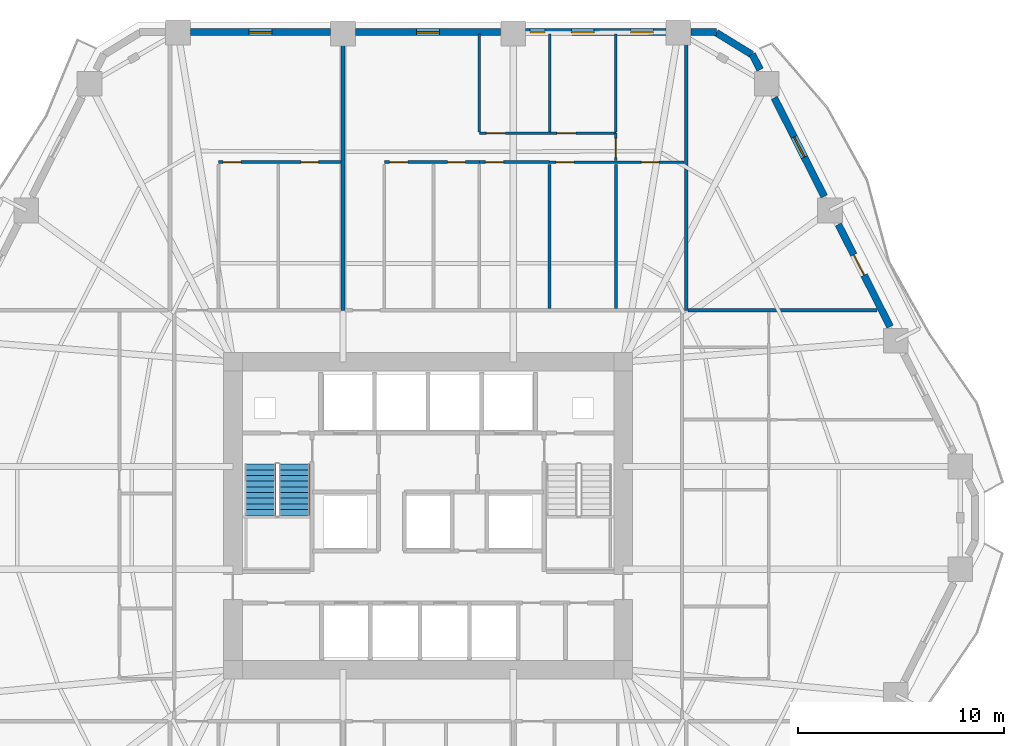
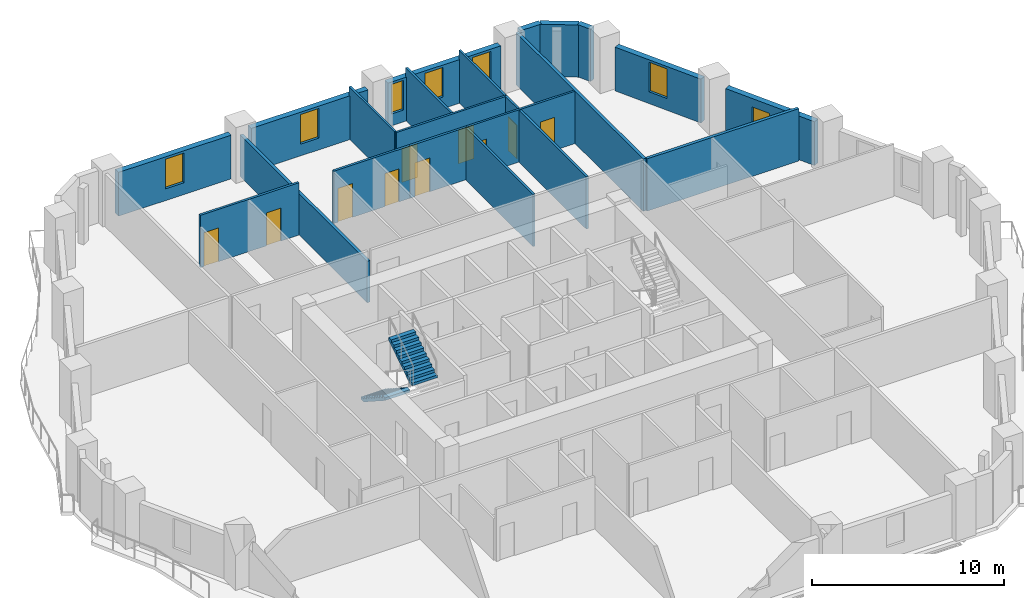
# One storey, part 7 of 11: 22 walls, 11 doors, 6 windows, 2 stair flights, 17 openings, 1 element without a shape of its own.
"""IFC4 building model written with IfcOpenShell, lengths in metres."""

from ifc_helpers import new_model, si_unit, direction, frame, frame_2d, origin, place, context, subcontext, project, spatial, polyline, rectangle, outline, extrude, material, layer, layer_set, type_object, element, fill, aggregate, save


model = new_model("IFC4")

# Units and contexts
model_context = context("Model", 3, precision=1e-05, world=origin(), true_north=direction((0.0, 1.0)))
body_context = subcontext(model_context, "Body", "Model", "MODEL_VIEW")
ifc_project = project(units=[si_unit("LENGTHUNIT", "METRE"), si_unit("AREAUNIT", "SQUARE_METRE"), si_unit("VOLUMEUNIT", "CUBIC_METRE"), si_unit("PLANEANGLEUNIT", "RADIAN"), si_unit("MASSUNIT", "GRAM", prefix="KILO")], contexts=[model_context])

# Site, building, storey
site_placement = place(None, origin())
site = spatial("IfcSite", under=ifc_project, at=site_placement, CompositionType="ELEMENT")
building_placement = place(site_placement, origin())
building = spatial("IfcBuilding", under=site, at=building_placement, Name="Cinnabar Lancet Tower", CompositionType="ELEMENT")
storey_placement = place(building_placement, frame((0.0, 0.0, 60.39990234375)))
storey = spatial("IfcBuildingStorey", under=building, at=storey_placement, Name="L15", CompositionType="ELEMENT", Elevation=60.39990234375)

# Walls
ifc_material_1 = material(Name="Fire-rated twin-frame acoustic drywall", Category="gypsum")
ifc_layer_1 = layer(ifc_material_1, 0.179931640625)
ifc_layer_set_1 = layer_set([ifc_layer_1], Name="Fire-rated twin-frame acoustic drywall")
wall_type_1 = type_object("IfcWallType", Name="ARC-WL-PARTY-180", PredefinedType="PARTITIONING", material=ifc_layer_set_1)
wall_1_placement = place(storey_placement, frame((28.278076171875, 35.85009765625, 0.0), z_axis=(0.0, 0.0, 1.0), x_axis=(0.0, 1.0, 0.0)))
element("IfcWall", 1, at=wall_1_placement, inside=storey, type_object=wall_type_1, Name="PW-L15-NPTY-283", PredefinedType="PARTITIONING", context=body_context, shape_type="SweptSolid", body=[
    extrude(rectangle(XDim=13.294921875, YDim=0.179931640625, at=frame_2d((6.6474609375, 0.0))), origin(), (0.0, 0.0, 1.0), 2.635986328125),
])
wall_2_placement = place(storey_placement, frame((44.89990234375, 35.85009765625, 0.0), z_axis=(0.0, 0.0, 1.0), x_axis=(0.0, 1.0, 0.0)))
element("IfcWall", 2, at=wall_2_placement, inside=storey, type_object=wall_type_1, Name="PW-L15-NPTY-449", PredefinedType="PARTITIONING", context=body_context, shape_type="SweptSolid", body=[
    extrude(rectangle(XDim=13.294921875, YDim=0.179931640625, at=frame_2d((6.6474609375, 0.0))), origin(), (0.0, 0.0, 1.0), 3.330078125),
])
wall_3_placement = place(storey_placement, frame((44.9951171875, 35.85009765625, 0.0), z_axis=(0.0, 0.0, 1.0), x_axis=(1.0, 0.0, 0.0)))
element("IfcWall", 3, at=wall_3_placement, inside=storey, type_object=wall_type_1, Name="PW-L15-ENB", PredefinedType="PARTITIONING", context=body_context, shape_type="SweptSolid", body=[
    extrude(rectangle(XDim=9.139892578125, YDim=0.179931640625, at=frame_2d((4.56982421875, 0.0))), origin(), (0.0, 0.0, 1.0), 3.330078125),
])

# Wall, openings, doors
ifc_material_2 = material(Name="Gypsum plasterboard stud partition", Category="gypsum")
ifc_layer_2 = layer(ifc_material_2, 0.125)
ifc_layer_set_2 = layer_set([ifc_layer_2], Name="Gypsum plasterboard stud partition")
wall_type_2 = type_object("IfcWallType", Name="ARC-WL-UNIT-125", PredefinedType="PARTITIONING", material=ifc_layer_set_2)
wall_4_placement = place(storey_placement, frame((38.284912109375, 43.029052734375, 0.0), z_axis=(0.0, 0.0, 1.0), x_axis=(1.0, 0.0, 0.0)))
wall_4 = element("IfcWall", 4, at=wall_4_placement, inside=storey, type_object=wall_type_2, Name="UW-L15-N02-SP2", PredefinedType="PARTITIONING", context=body_context, shape_type="SweptSolid", body=[
    extrude(rectangle(XDim=6.52001953125, YDim=0.125, at=frame_2d((3.260009765625, 0.0))), origin(), (0.0, 0.0, 1.0), 3.330078125),
])
opening_1_placement = place(wall_4_placement, frame((4.43896484375, 0.0, 0.0)))
opening_1 = element("IfcOpeningElement", 5, at=opening_1_placement, cuts=wall_4, Name="Opening BD-01", PredefinedType="OPENING", context=body_context, shape_type="SweptSolid", body=[
    extrude(rectangle(XDim=0.860107421875, YDim=2.10009765625, at=frame_2d((0.43017578125, 1.050048828125))), frame((0.0, 0.072509765625, 0.0), z_axis=(0.0, -1.0, 0.0), x_axis=(1.0, 0.0, 0.0)), (0.0, 0.0, 1.0), 0.14501953125),
])
opening_2_placement = place(wall_4_placement, frame((0.300048828125, 0.0, 0.0)))
opening_2 = element("IfcOpeningElement", 6, at=opening_2_placement, cuts=wall_4, Name="Opening RD-02", PredefinedType="OPENING", context=body_context, shape_type="SweptSolid", body=[
    extrude(rectangle(XDim=0.8798828125, YDim=2.14990234375, at=frame_2d((0.43994140625, 1.074951171875))), frame((0.0, 0.072509765625, 0.0), z_axis=(0.0, -1.0, 0.0), x_axis=(1.0, 0.0, 0.0)), (0.0, 0.0, 1.0), 0.14501953125),
])
ifc_material_3 = material(Name="Moisture-resistant timber bathroom door", Category="wood")
door_type_1 = type_object("IfcDoorType", Name="ARC-DR-BATH", OperationType="NOTDEFINED", PredefinedType="DOOR", material=ifc_material_3)
door_1_placement = place(opening_1_placement, origin())
door_1 = element("IfcDoor", 7, at=door_1_placement, inside=storey, type_object=door_type_1, Name="DR-L15-N02-ENS", OperationType="SINGLE_SWING_LEFT", OverallHeight=2.10009765625, OverallWidth=0.860107421875, PredefinedType="DOOR", context=body_context, shape_type="SweptSolid", body=[
    extrude(rectangle(XDim=0.860107421875, YDim=2.10009765625, at=frame_2d((0.43017578125, 1.050048828125))), frame((0.0, 0.02490234375, 0.0), z_axis=(0.0, -1.0, 0.0), x_axis=(1.0, 0.0, 0.0)), (0.0, 0.0, 1.0), 0.050048828125),
])
fill(opening_1, door_1)
ifc_material_4 = material(Name="Engineered timber study door", Category="wood")
door_type_2 = type_object("IfcDoorType", Name="ARC-DR-STUDY", OperationType="NOTDEFINED", PredefinedType="DOOR", material=ifc_material_4)
door_2_placement = place(opening_2_placement, origin())
door_2 = element("IfcDoor", 8, at=door_2_placement, inside=storey, type_object=door_type_2, Name="DR-L15-N02-DRS", OperationType="SINGLE_SWING_RIGHT", OverallHeight=2.14990234375, OverallWidth=0.8798828125, PredefinedType="DOOR", context=body_context, shape_type="SweptSolid", body=[
    extrude(rectangle(XDim=0.8798828125, YDim=2.14990234375, at=frame_2d((0.43994140625, 1.074951171875))), frame((0.0, 0.02490234375, 0.0), z_axis=(0.0, -1.0, 0.0), x_axis=(1.0, 0.0, 0.0)), (0.0, 0.0, 1.0), 0.050048828125),
])
fill(opening_2, door_2)

# Wall
wall_5_placement = place(storey_placement, frame((34.8779296875, 44.493896484375, 0.0), z_axis=(0.0, 0.0, 1.0), x_axis=(0.0, 1.0, 0.0)))
element("IfcWall", 9, at=wall_5_placement, inside=storey, type_object=wall_type_2, Name="UW-L15-N02-BD2W", PredefinedType="PARTITIONING", context=body_context, shape_type="SweptSolid", body=[
    extrude(rectangle(XDim=4.7412109375, YDim=0.125, at=frame_2d((2.37060546875, 0.0))), origin(), (0.0, 0.0, 1.0), 3.330078125),
])

# Wall, openings, doors
wall_6_placement = place(storey_placement, frame((34.8779296875, 44.428955078125, 0.0), z_axis=(0.0, 0.0, 1.0), x_axis=(1.0, 0.0, 0.0)))
wall_6 = element("IfcWall", 10, at=wall_6_placement, inside=storey, type_object=wall_type_2, Name="UW-L15-N02-HLN", PredefinedType="PARTITIONING", context=body_context, shape_type="SweptSolid", body=[
    extrude(rectangle(XDim=6.614990234375, YDim=0.125, at=frame_2d((3.3076171875, 0.0))), origin(), (0.0, 0.0, 1.0), 3.330078125),
])
opening_3_placement = place(wall_6_placement, frame((0.35009765625, 0.0, 0.0)))
opening_3 = element("IfcOpeningElement", 11, at=opening_3_placement, cuts=wall_6, Name="Opening RD-01", PredefinedType="OPENING", context=body_context, shape_type="SweptSolid", body=[
    extrude(rectangle(XDim=0.919921875, YDim=2.14990234375, at=frame_2d((0.4599609375, 1.074951171875))), frame((0.0, 0.072509765625, 0.0), z_axis=(0.0, -1.0, 0.0), x_axis=(1.0, 0.0, 0.0)), (0.0, 0.0, 1.0), 0.14501953125),
])
opening_4_placement = place(wall_6_placement, frame((3.757080078125, 0.0, 0.0)))
opening_4 = element("IfcOpeningElement", 12, at=opening_4_placement, cuts=wall_6, Name="Opening RD-01", PredefinedType="OPENING", context=body_context, shape_type="SweptSolid", body=[
    extrude(rectangle(XDim=0.919921875, YDim=2.14990234375, at=frame_2d((0.4599609375, 1.074951171875))), frame((0.0, 0.072509765625, 0.0), z_axis=(0.0, -1.0, 0.0), x_axis=(1.0, 0.0, 0.0)), (0.0, 0.0, 1.0), 0.14501953125),
])
ifc_material_5 = material(Name="Engineered timber bedroom door", Category="wood")
door_type_3 = type_object("IfcDoorType", Name="ARC-DR-ROOM", OperationType="NOTDEFINED", PredefinedType="DOOR", material=ifc_material_5)
door_3_placement = place(opening_3_placement, origin())
door_3 = element("IfcDoor", 13, at=door_3_placement, inside=storey, type_object=door_type_3, Name="DR-L15-N02-BD2", OperationType="SINGLE_SWING_LEFT", OverallHeight=2.14990234375, OverallWidth=0.919921875, PredefinedType="DOOR", context=body_context, shape_type="SweptSolid", body=[
    extrude(rectangle(XDim=0.919921875, YDim=2.14990234375, at=frame_2d((0.4599609375, 1.074951171875))), frame((0.0, 0.02490234375, 0.0), z_axis=(0.0, -1.0, 0.0), x_axis=(1.0, 0.0, 0.0)), (0.0, 0.0, 1.0), 0.050048828125),
])
fill(opening_3, door_3)
door_4_placement = place(opening_4_placement, origin())
door_4 = element("IfcDoor", 14, at=door_4_placement, inside=storey, type_object=door_type_3, Name="DR-L15-N02-BD3", OperationType="SINGLE_SWING_RIGHT", OverallHeight=2.14990234375, OverallWidth=0.919921875, PredefinedType="DOOR", context=body_context, shape_type="SweptSolid", body=[
    extrude(rectangle(XDim=0.919921875, YDim=2.14990234375, at=frame_2d((0.4599609375, 1.074951171875))), frame((0.0, 0.02490234375, 0.0), z_axis=(0.0, -1.0, 0.0), x_axis=(1.0, 0.0, 0.0)), (0.0, 0.0, 1.0), 0.050048828125),
])
fill(opening_4, door_4)

# Wall, opening, door
wall_7_placement = place(storey_placement, frame((41.492919921875, 43.09912109375, 0.0), z_axis=(0.0, 0.0, 1.0), x_axis=(0.0, 1.0, 0.0)))
wall_7 = element("IfcWall", 15, at=wall_7_placement, inside=storey, type_object=wall_type_2, Name="UW-L15-N02-MBE", PredefinedType="PARTITIONING", context=body_context, shape_type="SweptSolid", body=[
    extrude(rectangle(XDim=1.329833984375, YDim=0.125, at=frame_2d((0.6650390625, 0.0))), origin(), (0.0, 0.0, 1.0), 3.330078125),
])
opening_5_placement = place(wall_7_placement, frame((0.159912109375, 0.0, 0.0)))
opening_5 = element("IfcOpeningElement", 16, at=opening_5_placement, cuts=wall_7, Name="Opening RD-01", PredefinedType="OPENING", context=body_context, shape_type="SweptSolid", body=[
    extrude(rectangle(XDim=0.919921875, YDim=2.14990234375, at=frame_2d((0.4599609375, 1.074951171875))), frame((0.0, 0.072509765625, 0.0), z_axis=(0.0, -1.0, 0.0), x_axis=(1.0, 0.0, 0.0)), (0.0, 0.0, 1.0), 0.14501953125),
])
door_5_placement = place(opening_5_placement, origin())
door_5 = element("IfcDoor", 17, at=door_5_placement, inside=storey, type_object=door_type_3, Name="DR-L15-N02-MBD", OperationType="SINGLE_SWING_LEFT", OverallHeight=2.14990234375, OverallWidth=0.919921875, PredefinedType="DOOR", context=body_context, shape_type="SweptSolid", body=[
    extrude(rectangle(XDim=0.919921875, YDim=2.14990234375, at=frame_2d((0.4599609375, 1.074951171875))), frame((0.0, 0.02490234375, 0.0), z_axis=(0.0, -1.0, 0.0), x_axis=(1.0, 0.0, 0.0)), (0.0, 0.0, 1.0), 0.050048828125),
])
fill(opening_5, door_5)

# Walls
for number, where, z_axis, x_axis, name in (
    (18, (38.284912109375, 44.493896484375, 0.0), (0.0, 0.0, 1.0), (0.0, 1.0, 0.0), "UW-L15-N02-MB2W"),
    (19, (41.492919921875, 44.493896484375, 0.0), (0.0, 0.0, 1.0), (0.0, 1.0, 0.0), "UW-L15-N02-B23W"),
):
    element("IfcWall", number, at=place(storey_placement, frame(where, z_axis=z_axis, x_axis=x_axis)), inside=storey, type_object=wall_type_2, Name=name, PredefinedType="PARTITIONING", context=body_context, shape_type="SweptSolid", body=[
        extrude(rectangle(XDim=4.7412109375, YDim=0.125, at=frame_2d((2.37060546875, 0.0))), origin(), (0.0, 0.0, 1.0), 3.330078125),
    ])

# Wall, openings, doors
ifc_material_6 = material(Name="Moisture-resistant cement-board plumbing wall", Category="masonry")
ifc_layer_3 = layer(ifc_material_6, 0.139892578125)
ifc_layer_set_3 = layer_set([ifc_layer_3], Name="Moisture-resistant cement-board plumbing wall")
wall_type_3 = type_object("IfcWallType", Name="ARC-WL-WET-140", PredefinedType="PLUMBINGWALL", material=ifc_layer_set_3)
wall_8_placement = place(storey_placement, frame((22.25, 43.029052734375, 0.0), z_axis=(0.0, 0.0, 1.0), x_axis=(1.0, 0.0, 0.0)))
wall_8 = element("IfcWall", 20, at=wall_8_placement, inside=storey, type_object=wall_type_3, Name="UW-L15-N01-SPL", PredefinedType="PLUMBINGWALL", context=body_context, shape_type="SweptSolid", body=[
    extrude(rectangle(XDim=5.93310546875, YDim=0.139892578125, at=frame_2d((2.966552734375, 0.0))), origin(), (0.0, 0.0, 1.0), 3.330078125),
])
opening_6_placement = place(wall_8_placement, frame((3.988037109375, 0.0, 0.0)))
opening_6 = element("IfcOpeningElement", 21, at=opening_6_placement, cuts=wall_8, Name="Opening BD-01", PredefinedType="OPENING", context=body_context, shape_type="SweptSolid", body=[
    extrude(rectangle(XDim=0.860107421875, YDim=2.10009765625, at=frame_2d((0.43017578125, 1.050048828125))), frame((0.0, 0.079833984375, 0.0), z_axis=(0.0, -1.0, 0.0), x_axis=(1.0, 0.0, 0.0)), (0.0, 0.0, 1.0), 0.159912109375),
])
opening_7_placement = place(wall_8_placement, frame((0.219970703125, 0.0, 0.0)))
opening_7 = element("IfcOpeningElement", 22, at=opening_7_placement, cuts=wall_8, Name="Opening RD-02", PredefinedType="OPENING", context=body_context, shape_type="SweptSolid", body=[
    extrude(rectangle(XDim=0.8798828125, YDim=2.14990234375, at=frame_2d((0.43994140625, 1.074951171875))), frame((0.0, 0.079833984375, 0.0), z_axis=(0.0, -1.0, 0.0), x_axis=(1.0, 0.0, 0.0)), (0.0, 0.0, 1.0), 0.159912109375),
])
door_6_placement = place(opening_6_placement, origin())
door_6 = element("IfcDoor", 23, at=door_6_placement, inside=storey, type_object=door_type_1, Name="DR-L15-N01-BTH", OperationType="SINGLE_SWING_LEFT", OverallHeight=2.10009765625, OverallWidth=0.860107421875, PredefinedType="DOOR", context=body_context, shape_type="SweptSolid", body=[
    extrude(rectangle(XDim=0.860107421875, YDim=2.10009765625, at=frame_2d((0.43017578125, 1.050048828125))), frame((0.0, 0.02490234375, 0.0), z_axis=(0.0, -1.0, 0.0), x_axis=(1.0, 0.0, 0.0)), (0.0, 0.0, 1.0), 0.050048828125),
])
fill(opening_6, door_6)
door_7_placement = place(opening_7_placement, origin())
door_7 = element("IfcDoor", 24, at=door_7_placement, inside=storey, type_object=door_type_2, Name="DR-L15-N01-KIT", OperationType="SINGLE_SWING_RIGHT", OverallHeight=2.14990234375, OverallWidth=0.8798828125, PredefinedType="DOOR", context=body_context, shape_type="SweptSolid", body=[
    extrude(rectangle(XDim=0.8798828125, YDim=2.14990234375, at=frame_2d((0.43994140625, 1.074951171875))), frame((0.0, 0.02490234375, 0.0), z_axis=(0.0, -1.0, 0.0), x_axis=(1.0, 0.0, 0.0)), (0.0, 0.0, 1.0), 0.050048828125),
])
fill(opening_7, door_7)

wall_9_placement = place(storey_placement, frame((30.278076171875, 43.029052734375, 0.0), z_axis=(0.0, 0.0, 1.0), x_axis=(1.0, 0.0, 0.0)))
wall_9 = element("IfcWall", 25, at=wall_9_placement, inside=storey, type_object=wall_type_3, Name="UW-L15-N02-SPL", PredefinedType="PLUMBINGWALL", context=body_context, shape_type="SweptSolid", body=[
    extrude(rectangle(XDim=4.599853515625, YDim=0.139892578125, at=frame_2d((2.2998046875, 0.0))), origin(), (0.0, 0.0, 1.0), 3.330078125),
])
opening_8_placement = place(wall_9_placement, frame((3.071044921875, 0.0, 0.0)))
opening_8 = element("IfcOpeningElement", 26, at=opening_8_placement, cuts=wall_9, Name="Opening BD-01", PredefinedType="OPENING", context=body_context, shape_type="SweptSolid", body=[
    extrude(rectangle(XDim=0.860107421875, YDim=2.10009765625, at=frame_2d((0.43017578125, 1.050048828125))), frame((0.0, 0.079833984375, 0.0), z_axis=(0.0, -1.0, 0.0), x_axis=(1.0, 0.0, 0.0)), (0.0, 0.0, 1.0), 0.159912109375),
])
opening_9_placement = place(wall_9_placement, frame((0.260009765625, 0.0, 0.0)))
opening_9 = element("IfcOpeningElement", 27, at=opening_9_placement, cuts=wall_9, Name="Opening RD-02", PredefinedType="OPENING", context=body_context, shape_type="SweptSolid", body=[
    extrude(rectangle(XDim=0.8798828125, YDim=2.14990234375, at=frame_2d((0.43994140625, 1.074951171875))), frame((0.0, 0.079833984375, 0.0), z_axis=(0.0, -1.0, 0.0), x_axis=(1.0, 0.0, 0.0)), (0.0, 0.0, 1.0), 0.159912109375),
])
door_8_placement = place(opening_8_placement, origin())
door_8 = element("IfcDoor", 28, at=door_8_placement, inside=storey, type_object=door_type_1, Name="DR-L15-N02-BTH", OperationType="SINGLE_SWING_RIGHT", OverallHeight=2.10009765625, OverallWidth=0.860107421875, PredefinedType="DOOR", context=body_context, shape_type="SweptSolid", body=[
    extrude(rectangle(XDim=0.860107421875, YDim=2.10009765625, at=frame_2d((0.43017578125, 1.050048828125))), frame((0.0, 0.02490234375, 0.0), z_axis=(0.0, -1.0, 0.0), x_axis=(1.0, 0.0, 0.0)), (0.0, 0.0, 1.0), 0.050048828125),
])
fill(opening_8, door_8)
door_9_placement = place(opening_9_placement, origin())
door_9 = element("IfcDoor", 29, at=door_9_placement, inside=storey, type_object=door_type_2, Name="DR-L15-N02-KIT", OperationType="SINGLE_SWING_LEFT", OverallHeight=2.14990234375, OverallWidth=0.8798828125, PredefinedType="DOOR", context=body_context, shape_type="SweptSolid", body=[
    extrude(rectangle(XDim=0.8798828125, YDim=2.14990234375, at=frame_2d((0.43994140625, 1.074951171875))), frame((0.0, 0.02490234375, 0.0), z_axis=(0.0, -1.0, 0.0), x_axis=(1.0, 0.0, 0.0)), (0.0, 0.0, 1.0), 0.050048828125),
])
fill(opening_9, door_9)

# Wall, opening, door
wall_10_placement = place(storey_placement, frame((34.8779296875, 43.029052734375, 0.0), z_axis=(0.0, 0.0, 1.0), x_axis=(1.0, 0.0, 0.0)))
wall_10 = element("IfcWall", 30, at=wall_10_placement, inside=storey, type_object=wall_type_3, Name="UW-L15-N02-SPM", PredefinedType="PLUMBINGWALL", context=body_context, shape_type="SweptSolid", body=[
    extrude(rectangle(XDim=3.406982421875, YDim=0.139892578125, at=frame_2d((1.70361328125, 0.0))), origin(), (0.0, 0.0, 1.0), 3.330078125),
])
opening_10_placement = place(wall_10_placement, frame((0.300048828125, 0.0, 0.0)))
opening_10 = element("IfcOpeningElement", 31, at=opening_10_placement, cuts=wall_10, Name="Opening RD-02", PredefinedType="OPENING", context=body_context, shape_type="SweptSolid", body=[
    extrude(rectangle(XDim=0.8798828125, YDim=2.14990234375, at=frame_2d((0.43994140625, 1.074951171875))), frame((0.0, 0.079833984375, 0.0), z_axis=(0.0, -1.0, 0.0), x_axis=(1.0, 0.0, 0.0)), (0.0, 0.0, 1.0), 0.159912109375),
])
door_10_placement = place(opening_10_placement, origin())
door_10 = element("IfcDoor", 32, at=door_10_placement, inside=storey, type_object=door_type_2, Name="DR-L15-N02-UTL", OperationType="SINGLE_SWING_RIGHT", OverallHeight=2.14990234375, OverallWidth=0.8798828125, PredefinedType="DOOR", context=body_context, shape_type="SweptSolid", body=[
    extrude(rectangle(XDim=0.8798828125, YDim=2.14990234375, at=frame_2d((0.43994140625, 1.074951171875))), frame((0.0, 0.02490234375, 0.0), z_axis=(0.0, -1.0, 0.0), x_axis=(1.0, 0.0, 0.0)), (0.0, 0.0, 1.0), 0.050048828125),
])
fill(opening_10, door_10)

# Walls
for number, where, z_axis, x_axis, name in (
    (33, (38.284912109375, 35.93505859375, 0.0), (0.0, 0.0, 1.0), (0.0, 1.0, 0.0), "UW-L15-N02-ENSE"),
    (34, (41.492919921875, 35.93505859375, 0.0), (0.0, 0.0, 1.0), (0.0, 1.0, 0.0), "UW-L15-N02-UT3"),
):
    element("IfcWall", number, at=place(storey_placement, frame(where, z_axis=z_axis, x_axis=x_axis)), inside=storey, type_object=wall_type_3, Name=name, PredefinedType="PLUMBINGWALL", context=body_context, shape_type="SweptSolid", body=[
        extrude(rectangle(XDim=6.989013671875, YDim=0.139892578125, at=frame_2d((3.49462890625, 0.0))), origin(), (0.0, 0.0, 1.0), 3.330078125),
    ])
ifc_material_7 = material(Name="Cinnabar red clay brick", Category="masonry")
ifc_layer_4 = layer(ifc_material_7, 0.340087890625)
ifc_layer_set_4 = layer_set([ifc_layer_4], Name="Cinnabar red clay brick")
wall_type_4 = type_object("IfcWallType", Name="ENV-WL-BRK-RED-340", PredefinedType="STANDARD", material=ifc_layer_set_4)
wall_11_placement = place(storey_placement, frame((48.080078125, 48.238037109375, 0.0), z_axis=(0.0, 0.0, 1.0), x_axis=(-0.851870104345, 0.523753114857, 0.0)))
element("IfcWall", 35, at=wall_11_placement, inside=storey, type_object=wall_type_4, Name="L15 Chamfered Corner Brick Pier 4.1", PredefinedType="STANDARD", context=body_context, shape_type="SweptSolid", body=[
    extrude(rectangle(XDim=2.017822265625, YDim=0.340087890625, at=frame_2d((1.0087890625, 0.0))), origin(), (0.0, 0.0, 1.0), 3.330078125),
])

# Wall, opening, door
wall_12_placement = place(storey_placement, frame((54.77587890625, 35.06103515625, 0.0), z_axis=(0.0, 0.0, 1.0), x_axis=(-0.451592100298, 0.892224509273, 0.0)))
wall_12 = element("IfcWall", 36, at=wall_12_placement, inside=storey, type_object=wall_type_4, Name="L15 Face 3 Masonry Bay Wall 3", PredefinedType="STANDARD", context=body_context, shape_type="SweptSolid", body=[
    extrude(rectangle(XDim=5.546875, YDim=0.340087890625, at=frame_2d((2.7734375, 0.0))), origin(), (0.0, 0.0, 1.0), 2.787109375),
])
opening_11_placement = place(wall_12_placement, frame((2.791015625, 0.0, 0.0)))
opening_11 = element("IfcOpeningElement", 37, at=opening_11_placement, cuts=wall_12, Name="Opening TD-01", PredefinedType="OPENING", context=body_context, shape_type="SweptSolid", body=[
    extrude(rectangle(XDim=1.10009765625, YDim=2.25, at=frame_2d((0.550048828125, 1.125))), frame((0.0, 0.179931640625, 0.0), z_axis=(0.0, -1.0, 0.0), x_axis=(1.0, 0.0, 0.0)), (0.0, 0.0, 1.0), 0.360107421875),
])
ifc_material_8 = material(Name="Thermally broken low-E glazed balcony terrace door", Category="wood")
door_type_4 = type_object("IfcDoorType", Name="ARC-DR-BALC", OperationType="NOTDEFINED", PredefinedType="DOOR", material=ifc_material_8)
door_11_placement = place(opening_11_placement, origin())
door_11 = element("IfcDoor", 38, at=door_11_placement, inside=storey, type_object=door_type_4, Name="L15 Face 3 Glazed Terrace Door", OperationType="SINGLE_SWING_RIGHT", OverallHeight=2.25, OverallWidth=1.10009765625, PredefinedType="DOOR", context=body_context, shape_type="SweptSolid", body=[
    extrude(rectangle(XDim=1.10009765625, YDim=2.25, at=frame_2d((0.550048828125, 1.125))), frame((0.0, 0.02490234375, 0.0), z_axis=(0.0, -1.0, 0.0), x_axis=(1.0, 0.0, 0.0)), (0.0, 0.0, 1.0), 0.050048828125),
])
fill(opening_11, door_11)

# Wall, opening, window
wall_13_placement = place(storey_placement, frame((51.5830078125, 41.3720703125, 0.0), z_axis=(0.0, 0.0, 1.0), x_axis=(-0.451697561555, 0.892171123095, 0.0)))
wall_13 = element("IfcWall", 39, at=wall_13_placement, inside=storey, type_object=wall_type_4, Name="L15 Face 3 Masonry Bay Wall 4", PredefinedType="STANDARD", context=body_context, shape_type="SweptSolid", body=[
    extrude(rectangle(XDim=5.350830078125, YDim=0.340087890625, at=frame_2d((2.67529296875, 0.0))), origin(), (0.0, 0.0, 1.0), 2.787109375),
])
opening_12_placement = place(wall_13_placement, frame((2.125, 0.0, 0.75)))
opening_12 = element("IfcOpeningElement", 40, at=opening_12_placement, cuts=wall_13, Name="Opening WN-04", PredefinedType="OPENING", context=body_context, shape_type="SweptSolid", body=[
    extrude(rectangle(XDim=1.10009765625, YDim=1.886962890625, at=frame_2d((0.550048828125, 0.943359375))), frame((0.0, 0.179931640625, 0.0), z_axis=(0.0, -1.0, 0.0), x_axis=(1.0, 0.0, 0.0)), (0.0, 0.0, 1.0), 0.360107421875),
])
ifc_material_9 = material(Name="Thermally broken bronze-anodized aluminium tall lancet window", Category="aluminium")
window_type = type_object("IfcWindowType", Name="ENV-WN-LANCET-1100", PartitioningType="SINGLE_PANEL", PredefinedType="WINDOW", material=ifc_material_9)
window_1_placement = place(opening_12_placement, origin())
window_1 = element("IfcWindow", 41, at=window_1_placement, inside=storey, type_object=window_type, Name="L15 Face 3 Gothic Lancet Window 4", OverallHeight=1.886962890625, OverallWidth=1.10009765625, PartitioningType="SINGLE_PANEL", PredefinedType="WINDOW", context=body_context, shape_type="SweptSolid", body=[
    extrude(rectangle(XDim=1.10009765625, YDim=1.886962890625, at=frame_2d((0.550048828125, 0.943359375))), frame((0.0, 0.030029296875, 0.0), z_axis=(0.0, -1.0, 0.0), x_axis=(1.0, 0.0, 0.0)), (0.0, 0.0, 1.0), 0.06005859375),
])
fill(opening_12, window_1)

# Walls
wall_14_placement = place(storey_placement, frame((48.47802734375, 47.508056640625, 0.0), z_axis=(0.0, 0.0, 1.0), x_axis=(-0.451995771866, 0.892020079491, 0.0)))
element("IfcWall", 42, at=wall_14_placement, inside=storey, type_object=wall_type_4, Name="L15 Face 3 Masonry Bay Wall 5", PredefinedType="STANDARD", context=body_context, shape_type="SweptSolid", body=[
    extrude(rectangle(XDim=0.836181640625, YDim=0.340087890625, at=frame_2d((0.41796875, 0.0))), origin(), (0.0, 0.0, 1.0), 3.330078125),
])
wall_15_placement = place(storey_placement, frame((46.365966796875, 49.320068359375, 0.0), z_axis=(0.0, 0.0, 1.0), x_axis=(-1.0, 0.0, 0.0)))
element("IfcWall", 43, at=wall_15_placement, inside=storey, type_object=wall_type_4, Name="L15 Face 4 Masonry Bay Wall 1", PredefinedType="STANDARD", context=body_context, shape_type="SweptSolid", body=[
    extrude(rectangle(XDim=1.244873046875, YDim=0.340087890625, at=frame_2d((0.62255859375, 0.0))), origin(), (0.0, 0.0, 1.0), 3.330078125),
])

# Wall, openings, windows
wall_16_placement = place(storey_placement, frame((43.9130859375, 49.320068359375, 0.0), z_axis=(0.0, 0.0, 1.0), x_axis=(-1.0, 0.0, 0.0)))
wall_16 = element("IfcWall", 44, at=wall_16_placement, inside=storey, type_object=wall_type_4, Name="L15 Face 4 Masonry Bay Wall 2", PredefinedType="STANDARD", context=body_context, shape_type="SweptSolid", body=[
    extrude(rectangle(XDim=6.787109375, YDim=0.340087890625, at=frame_2d((3.3935546875, 0.0))), origin(), (0.0, 0.0, 1.0), 2.787109375),
])
opening_13_placement = place(wall_16_placement, frame((0.60400390625, 0.0, 0.75)))
opening_13 = element("IfcOpeningElement", 45, at=opening_13_placement, cuts=wall_16, Name="Opening WN-04", PredefinedType="OPENING", context=body_context, shape_type="SweptSolid", body=[
    extrude(rectangle(XDim=1.10009765625, YDim=1.886962890625, at=frame_2d((0.550048828125, 0.943359375))), frame((0.0, 0.179931640625, 0.0), z_axis=(0.0, -1.0, 0.0), x_axis=(1.0, 0.0, 0.0)), (0.0, 0.0, 1.0), 0.360107421875),
])
opening_14_placement = place(wall_16_placement, frame((3.47412109375, 0.0, 0.75)))
opening_14 = element("IfcOpeningElement", 46, at=opening_14_placement, cuts=wall_16, Name="Opening WN-04", PredefinedType="OPENING", context=body_context, shape_type="SweptSolid", body=[
    extrude(rectangle(XDim=1.10009765625, YDim=1.886962890625, at=frame_2d((0.550048828125, 0.943359375))), frame((0.0, 0.179931640625, 0.0), z_axis=(0.0, -1.0, 0.0), x_axis=(1.0, 0.0, 0.0)), (0.0, 0.0, 1.0), 0.360107421875),
])
opening_15_placement = place(wall_16_placement, frame((5.861083984375, 0.0, 0.75)))
opening_15 = element("IfcOpeningElement", 47, at=opening_15_placement, cuts=wall_16, Name="Opening WN-04", PredefinedType="OPENING", context=body_context, shape_type="SweptSolid", body=[
    extrude(rectangle(XDim=0.716064453125, YDim=1.886962890625, at=frame_2d((0.35791015625, 0.943359375))), frame((0.0, 0.179931640625, 0.0), z_axis=(0.0, -1.0, 0.0), x_axis=(1.0, 0.0, 0.0)), (0.0, 0.0, 1.0), 0.360107421875),
])
window_2_placement = place(opening_13_placement, origin())
window_2 = element("IfcWindow", 48, at=window_2_placement, inside=storey, type_object=window_type, Name="L15 Face 4 Gothic Lancet Window 2", OverallHeight=1.886962890625, OverallWidth=1.10009765625, PartitioningType="SINGLE_PANEL", PredefinedType="WINDOW", context=body_context, shape_type="SweptSolid", body=[
    extrude(rectangle(XDim=1.10009765625, YDim=1.886962890625, at=frame_2d((0.550048828125, 0.943359375))), frame((0.0, 0.030029296875, 0.0), z_axis=(0.0, -1.0, 0.0), x_axis=(1.0, 0.0, 0.0)), (0.0, 0.0, 1.0), 0.06005859375),
])
fill(opening_13, window_2)
window_3_placement = place(opening_14_placement, origin())
window_3 = element("IfcWindow", 49, at=window_3_placement, inside=storey, type_object=window_type, Name="L15 Split-Bay Gothic Lancet Window 37", OverallHeight=1.886962890625, OverallWidth=1.10009765625, PartitioningType="SINGLE_PANEL", PredefinedType="WINDOW", context=body_context, shape_type="SweptSolid", body=[
    extrude(rectangle(XDim=1.10009765625, YDim=1.886962890625, at=frame_2d((0.550048828125, 0.943359375))), frame((0.0, 0.030029296875, 0.0), z_axis=(0.0, -1.0, 0.0), x_axis=(1.0, 0.0, 0.0)), (0.0, 0.0, 1.0), 0.06005859375),
])
fill(opening_14, window_3)
window_4_placement = place(opening_15_placement, origin())
window_4 = element("IfcWindow", 50, at=window_4_placement, inside=storey, type_object=window_type, Name="L15 Dwelling Gothic Lancet Window 306", OverallHeight=1.886962890625, OverallWidth=0.716064453125, PartitioningType="SINGLE_PANEL", PredefinedType="WINDOW", context=body_context, shape_type="SweptSolid", body=[
    extrude(rectangle(XDim=0.716064453125, YDim=1.886962890625, at=frame_2d((0.35791015625, 0.943359375))), frame((0.0, 0.030029296875, 0.0), z_axis=(0.0, -1.0, 0.0), x_axis=(1.0, 0.0, 0.0)), (0.0, 0.0, 1.0), 0.06005859375),
])
fill(opening_15, window_4)

# Wall, opening, window
wall_17_placement = place(storey_placement, frame((35.91796875, 49.320068359375, 0.0), z_axis=(0.0, 0.0, 1.0), x_axis=(-1.0, 0.0, 0.0)))
wall_17 = element("IfcWall", 51, at=wall_17_placement, inside=storey, type_object=wall_type_4, Name="L15 Face 4 Masonry Bay Wall 3", PredefinedType="STANDARD", context=body_context, shape_type="SweptSolid", body=[
    extrude(rectangle(XDim=7.035888671875, YDim=0.340087890625, at=frame_2d((3.51806640625, 0.0))), origin(), (0.0, 0.0, 1.0), 2.787109375),
])
opening_16_placement = place(wall_17_placement, frame((2.968017578125, 0.0, 0.75)))
opening_16 = element("IfcOpeningElement", 52, at=opening_16_placement, cuts=wall_17, Name="Opening WN-04", PredefinedType="OPENING", context=body_context, shape_type="SweptSolid", body=[
    extrude(rectangle(XDim=1.10009765625, YDim=1.886962890625, at=frame_2d((0.550048828125, 0.943359375))), frame((0.0, 0.179931640625, 0.0), z_axis=(0.0, -1.0, 0.0), x_axis=(1.0, 0.0, 0.0)), (0.0, 0.0, 1.0), 0.360107421875),
])
window_5_placement = place(opening_16_placement, origin())
window_5 = element("IfcWindow", 53, at=window_5_placement, inside=storey, type_object=window_type, Name="L15 Face 4 Gothic Lancet Window 3", OverallHeight=1.886962890625, OverallWidth=1.10009765625, PartitioningType="SINGLE_PANEL", PredefinedType="WINDOW", context=body_context, shape_type="SweptSolid", body=[
    extrude(rectangle(XDim=1.10009765625, YDim=1.886962890625, at=frame_2d((0.550048828125, 0.943359375))), frame((0.0, 0.030029296875, 0.0), z_axis=(0.0, -1.0, 0.0), x_axis=(1.0, 0.0, 0.0)), (0.0, 0.0, 1.0), 0.06005859375),
])
fill(opening_16, window_5)

wall_18_placement = place(storey_placement, frame((27.674072265625, 49.320068359375, 0.0), z_axis=(0.0, 0.0, 1.0), x_axis=(-1.0, 0.0, 0.0)))
wall_18 = element("IfcWall", 54, at=wall_18_placement, inside=storey, type_object=wall_type_4, Name="L15 Face 4 Masonry Bay Wall 4", PredefinedType="STANDARD", context=body_context, shape_type="SweptSolid", body=[
    extrude(rectangle(XDim=6.787109375, YDim=0.340087890625, at=frame_2d((3.3935546875, 0.0))), origin(), (0.0, 0.0, 1.0), 2.787109375),
])
opening_17_placement = place(wall_18_placement, frame((2.843017578125, 0.0, 0.75)))
opening_17 = element("IfcOpeningElement", 55, at=opening_17_placement, cuts=wall_18, Name="Opening WN-04", PredefinedType="OPENING", context=body_context, shape_type="SweptSolid", body=[
    extrude(rectangle(XDim=1.10009765625, YDim=1.886962890625, at=frame_2d((0.550048828125, 0.943359375))), frame((0.0, 0.179931640625, 0.0), z_axis=(0.0, -1.0, 0.0), x_axis=(1.0, 0.0, 0.0)), (0.0, 0.0, 1.0), 0.360107421875),
])
window_6_placement = place(opening_17_placement, origin())
window_6 = element("IfcWindow", 56, at=window_6_placement, inside=storey, type_object=window_type, Name="L15 Face 4 Gothic Lancet Window 4", OverallHeight=1.886962890625, OverallWidth=1.10009765625, PartitioningType="SINGLE_PANEL", PredefinedType="WINDOW", context=body_context, shape_type="SweptSolid", body=[
    extrude(rectangle(XDim=1.10009765625, YDim=1.886962890625, at=frame_2d((0.550048828125, 0.943359375))), frame((0.0, 0.030029296875, 0.0), z_axis=(0.0, -1.0, 0.0), x_axis=(1.0, 0.0, 0.0)), (0.0, 0.0, 1.0), 0.06005859375),
])
fill(opening_17, window_6)

# Stair, stair flights
ifc_material_10 = material(Name="Concrete C40/50", Category="concrete")
stair_type = type_object("IfcStairType", Name="ST-CORE", PredefinedType="HALF_TURN_STAIR", material=ifc_material_10)
stair_placement = place(storey_placement, origin())
stair = element("IfcStair", 57, at=stair_placement, inside=storey, type_object=stair_type, Name="L15 ST-1", PredefinedType="HALF_TURN_STAIR")
ifc_material_11 = material(Name="Concrete C40/50", Category="concrete")
stair_flight_type = type_object("IfcStairFlightType", Name="FLIGHT-CORE", PredefinedType="STRAIGHT", material=ifc_material_11)
stair_flight_1_placement = place(storey_placement, frame((24.27490234375, 28.39990234375, 0.0), z_axis=(0.0, 0.0, 1.0), x_axis=(0.0, -1.0, 0.0)))
stair_flight_1 = element("IfcStairFlight", 58, at=stair_flight_1_placement, type_object=stair_flight_type, Name="ST-1 flight 1", NumberOfRisers=10, NumberOfTreads=9, PredefinedType="STRAIGHT", RiserHeight=0.1775, TreadLength=0.275, context=body_context, shape_type="SweptSolid", body=[
    extrude(outline(polyline([(0.0, 0.0), (0.0, 0.177490234375), (0.27490234375, 0.177490234375), (0.27490234375, 0.35498046875), (0.550048828125, 0.35498046875), (0.550048828125, 0.532470703125), (0.824951171875, 0.532470703125), (0.824951171875, 0.7099609375), (1.10009765625, 0.7099609375), (1.10009765625, 0.887451171875), (1.375, 0.887451171875), (1.375, 1.06494140625), (1.64990234375, 1.06494140625), (1.64990234375, 1.242431640625), (1.925048828125, 1.242431640625), (1.925048828125, 1.419921875), (2.199951171875, 1.419921875), (2.199951171875, 1.597412109375), (2.47509765625, 1.597412109375), (2.47509765625, 1.77490234375), (2.47509765625, 1.419189453125), (0.2763671875, 0.0), (0.0, 0.0)])), frame((0.0, 0.75, 0.0), z_axis=(0.0, -1.0, 0.0), x_axis=(1.0, 0.0, 0.0)), (0.0, 0.0, 1.0), 1.5),
])
stair_flight_2_placement = place(storey_placement, frame((25.925048828125, 25.925048828125, 1.775146484375), z_axis=(0.0, 0.0, 1.0), x_axis=(0.0, 1.0, 0.0)))
stair_flight_2 = element("IfcStairFlight", 59, at=stair_flight_2_placement, type_object=stair_flight_type, Name="ST-1 flight 2", NumberOfRisers=10, NumberOfTreads=9, PredefinedType="STRAIGHT", RiserHeight=0.1775, TreadLength=0.275, context=body_context, shape_type="SweptSolid", body=[
    extrude(outline(polyline([(0.0, 0.0), (0.0, 0.177490234375), (0.27490234375, 0.177490234375), (0.27490234375, 0.35498046875), (0.550048828125, 0.35498046875), (0.550048828125, 0.532470703125), (0.824951171875, 0.532470703125), (0.824951171875, 0.7099609375), (1.10009765625, 0.7099609375), (1.10009765625, 0.887451171875), (1.375, 0.887451171875), (1.375, 1.06494140625), (1.64990234375, 1.06494140625), (1.64990234375, 1.242431640625), (1.925048828125, 1.242431640625), (1.925048828125, 1.419921875), (2.199951171875, 1.419921875), (2.199951171875, 1.597412109375), (2.47509765625, 1.597412109375), (2.47509765625, 1.77490234375), (2.47509765625, 1.419189453125), (0.2763671875, 0.0), (0.0, 0.0)])), frame((0.0, 0.75, 0.0), z_axis=(0.0, -1.0, 0.0), x_axis=(1.0, 0.0, 0.0)), (0.0, 0.0, 1.0), 1.5),
])
aggregate(stair, [stair_flight_1, stair_flight_2])

save(model, "model.ifc")
